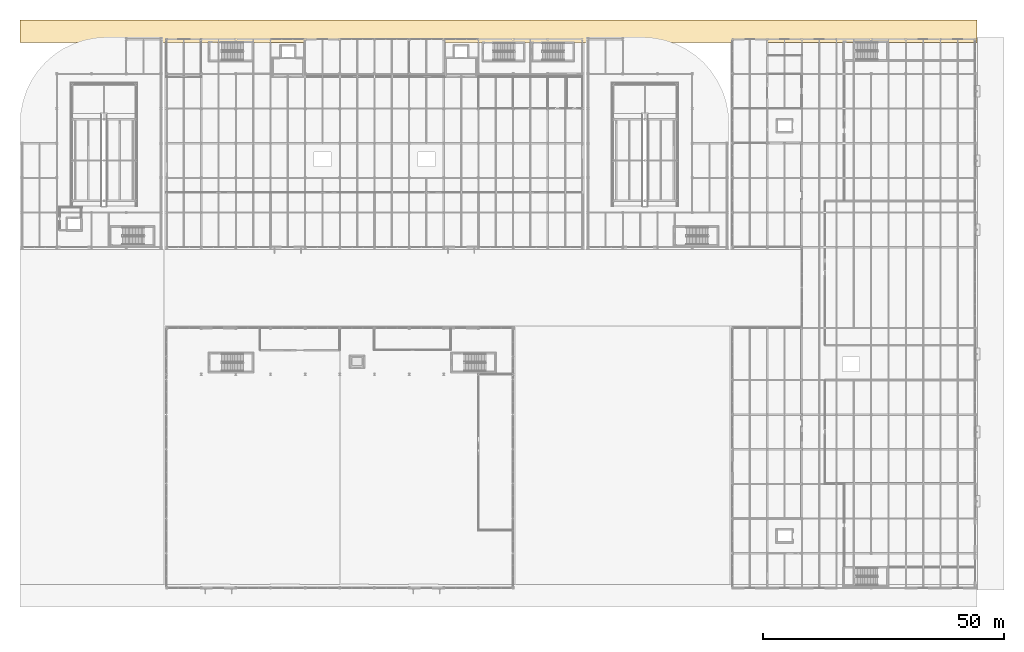
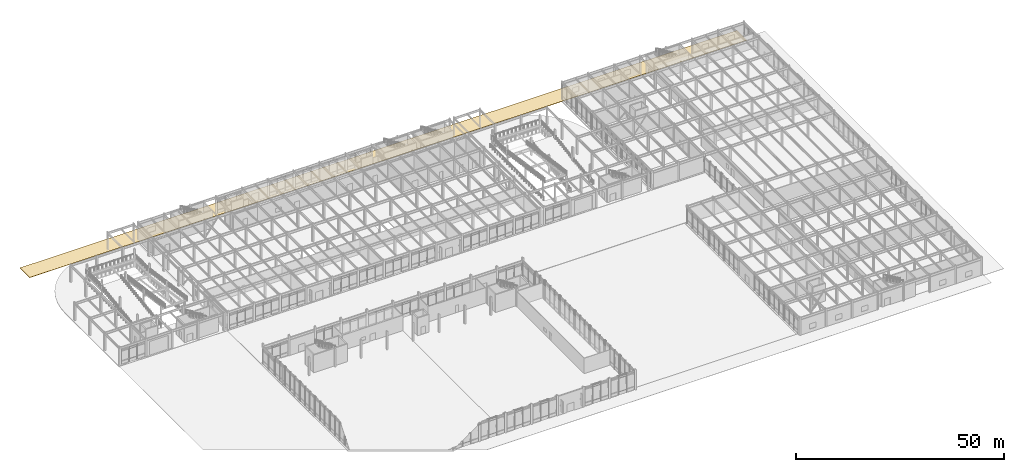
# One storey, part 96 of 104: 1 covering.
"""IFC4 building model written with IfcOpenShell, lengths in metres."""

from ifc_helpers import new_model, si_unit, direction, frame, origin, place, context, subcontext, project, spatial, polyline, outline, extrude, material, layer, layer_set, type_object, element, save


model = new_model("IFC4")

# Units and contexts
model_context = context("Model", 3, precision=1e-05, world=origin(), true_north=direction((0.0, 1.0)))
body_context = subcontext(model_context, "Body", "Model", "MODEL_VIEW")
ifc_project = project(units=[si_unit("LENGTHUNIT", "METRE"), si_unit("AREAUNIT", "SQUARE_METRE"), si_unit("VOLUMEUNIT", "CUBIC_METRE"), si_unit("PLANEANGLEUNIT", "RADIAN"), si_unit("MASSUNIT", "GRAM", prefix="KILO")], contexts=[model_context])

# Site, building, storey
site_placement = place(None, origin())
site = spatial("IfcSite", under=ifc_project, at=site_placement, CompositionType="ELEMENT")
building_placement = place(site_placement, origin())
building = spatial("IfcBuilding", under=site, at=building_placement, Name="Vaelcorin Mobility Hub", CompositionType="ELEMENT")
storey_placement = place(building_placement, origin())
storey = spatial("IfcBuildingStorey", under=building, at=storey_placement, Name="L00", CompositionType="ELEMENT", Elevation=0.0)

# Covering
ifc_material = material(Name="Permeable granite plaza paving", Category="masonry")
ifc_layer = layer(ifc_material, 0.080078125)
ifc_layer_set = layer_set([ifc_layer], Name="Permeable granite plaza paving")
covering_type = type_object("IfcCoveringType", Name="COV-PAVE-80", PredefinedType="USERDEFINED", material=ifc_layer_set)
covering_placement = place(storey_placement, frame((0.0, 0.0, -0.080078125)))
element("IfcCovering", 1, at=covering_placement, inside=storey, type_object=covering_type, Name="North Pedestrian Promenade", ObjectType="SITE PAVING", PredefinedType="USERDEFINED", context=body_context, shape_type="SweptSolid", body=[
    extrude(outline(polyline([(5.60009765625, 119.300048828125), (204.39990234375, 119.300048828125), (204.39990234375, 124.0), (5.60009765625, 124.0), (5.60009765625, 119.300048828125)])), origin(), (0.0, 0.0, 1.0), 0.080078125),
])

save(model, "model.ifc")
